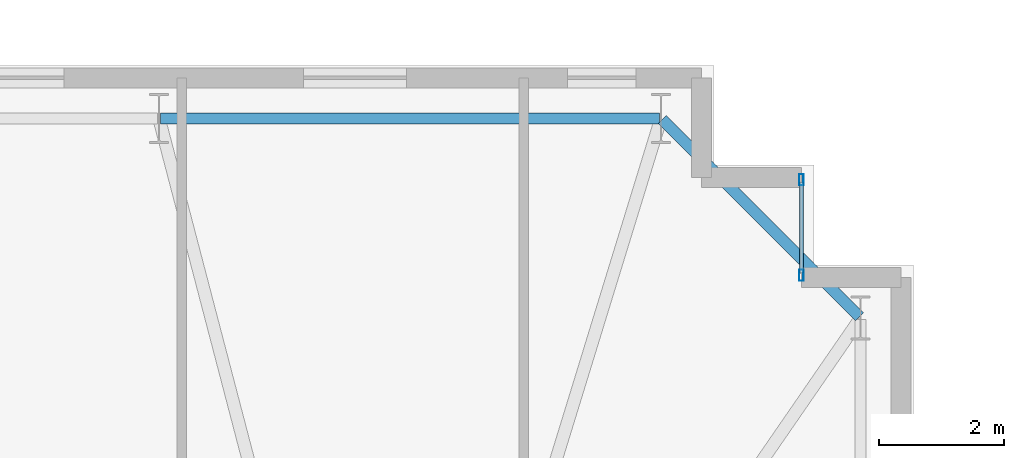
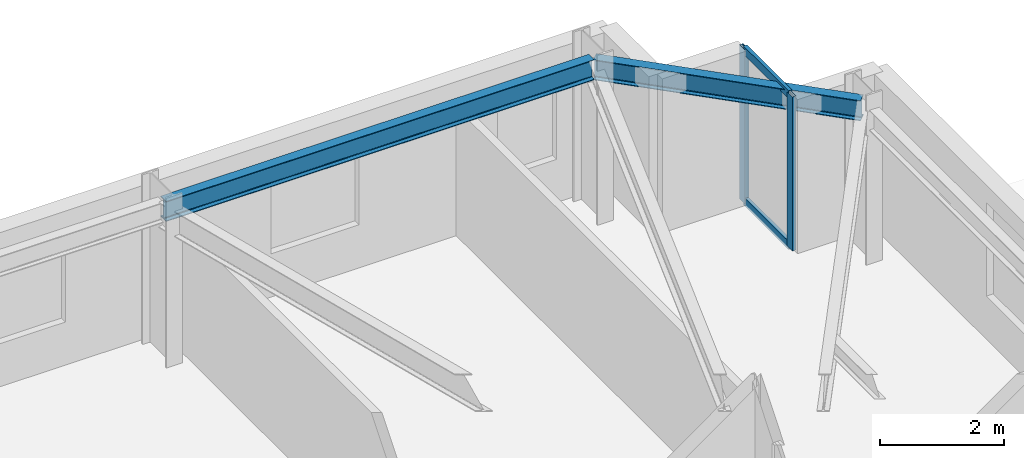
# One storey, part 9 of 18: 4 members, 2 beams, 1 element without a shape of its own.
"""IFC4 building model written with IfcOpenShell, lengths in metres."""

from ifc_helpers import new_model, si_unit, direction, frame, origin, origin_2d, place, context, subcontext, project, spatial, hollow_rectangle, i_section, extrude, material, layer, layer_set, material_profile, profile_set, type_object, element, aggregate, save


model = new_model("IFC4")

# Units and contexts
model_context = context("Model", 3, precision=1e-05, world=origin(), true_north=direction((0.0, 1.0)))
body_context = subcontext(model_context, "Body", "Model", "MODEL_VIEW")
ifc_project = project(units=[si_unit("LENGTHUNIT", "METRE"), si_unit("AREAUNIT", "SQUARE_METRE"), si_unit("VOLUMEUNIT", "CUBIC_METRE"), si_unit("PLANEANGLEUNIT", "RADIAN"), si_unit("MASSUNIT", "GRAM", prefix="KILO")], contexts=[model_context])

# Site, building, storey
site_placement = place(None, origin())
site = spatial("IfcSite", under=ifc_project, at=site_placement, CompositionType="ELEMENT")
building_placement = place(site_placement, origin())
building = spatial("IfcBuilding", under=site, at=building_placement, Name="Qobustan Lattice House", CompositionType="ELEMENT")
storey_placement = place(building_placement, frame((0.0, 0.0, 141.050048828125)))
storey = spatial("IfcBuildingStorey", under=building, at=storey_placement, Name="L39", CompositionType="ELEMENT", Elevation=141.050048828125)

# Beams
ifc_material_1 = material(Name="Steel S355", Category="steel")
ifc_material_profile_1 = material_profile(ifc_material_1, i_section(OverallWidth=0.179931640625, OverallDepth=0.39990234375, WebThickness=0.008544921875, FlangeThickness=0.013427734375, FilletRadius=0.02099609375, at=origin_2d()), Name="IPE400")
ifc_profile_set_1 = profile_set([ifc_material_profile_1], Name="Steel S355")
beam_type = type_object("IfcBeamType", Name="BM-SPD-IPE400", PredefinedType="SPANDREL", material=ifc_profile_set_1)
beam_1_placement = place(storey_placement, frame((26.332275390625, 16.567626953125, 2.83984375), z_axis=(-0.707079505568, 0.707134055753, 0.0), x_axis=(-0.707134055753, -0.707079505568, 0.0)))
element("IfcBeam", 1, at=beam_1_placement, inside=storey, type_object=beam_type, Name="L39 perimeter spandrel E4-N1", PredefinedType="SPANDREL", context=body_context, shape_type="SweptSolid", body=[
    extrude(i_section(OverallWidth=0.179931640625, OverallDepth=0.39990234375, WebThickness=0.008544921875, FlangeThickness=0.013427734375, FilletRadius=0.02099609375, at=origin_2d()), origin(), (0.0, 0.0, 1.0), 4.4755859375),
])
beam_2_placement = place(storey_placement, frame((23.125, 19.75, 2.83984375), z_axis=(-1.0, 0.0, 0.0), x_axis=(0.0, -1.0, 0.0)))
element("IfcBeam", 2, at=beam_2_placement, inside=storey, type_object=beam_type, Name="L39 perimeter spandrel N1-N2", PredefinedType="SPANDREL", context=body_context, shape_type="SweptSolid", body=[
    extrude(i_section(OverallWidth=0.179931640625, OverallDepth=0.39990234375, WebThickness=0.008544921875, FlangeThickness=0.013427734375, FilletRadius=0.02099609375, at=origin_2d()), origin(), (0.0, 0.0, 1.0), 8.0),
])

# Curtain wall, members
ifc_material_2 = material(Name="Anodised aluminium and low-E glazing", Category="aluminium")
ifc_layer = layer(ifc_material_2, 0.219970703125)
ifc_layer_set = layer_set([ifc_layer], Name="Anodised aluminium and low-E glazing")
curtain_wall_type = type_object("IfcCurtainWallType", Name="CW-FAC-02", PredefinedType="USERDEFINED", material=ifc_layer_set)
curtain_wall_placement = place(storey_placement, origin())
curtain_wall = element("IfcCurtainWall", 3, at=curtain_wall_placement, inside=storey, type_object=curtain_wall_type, Name="L39 serrated corner faceted glazing 13", ObjectType="CURTAIN WALL", PredefinedType="USERDEFINED")
ifc_material_3 = material(Name="Anodised aluminium EN AW-6063 T6", Category="aluminium")
ifc_material_profile_2 = material_profile(ifc_material_3, hollow_rectangle(XDim=0.070068359375, YDim=0.179931640625, WallThickness=0.00439453125, at=origin_2d()), Name="CWM-180x70")
ifc_profile_set_2 = profile_set([ifc_material_profile_2], Name="Anodised aluminium EN AW-6063 T6")
member_type_1 = type_object("IfcMemberType", Name="CWM-STD-180", PredefinedType="MULLION", material=ifc_profile_set_2)
member_1_placement = place(storey_placement, frame((25.39990234375, 18.764892578125, 0.0), z_axis=(0.0, 0.0, 1.0), x_axis=(1.0, 0.0, 0.0)))
member_1 = element("IfcMember", 4, at=member_1_placement, type_object=member_type_1, Name="CW-F2 mullion 1", PredefinedType="MULLION", context=body_context, shape_type="SweptSolid", body=[
    extrude(hollow_rectangle(XDim=0.070068359375, YDim=0.179931640625, WallThickness=0.00439453125, at=origin_2d()), origin(), (0.0, 0.0, 1.0), 3.0400390625),
])
member_2_placement = place(storey_placement, frame((25.39990234375, 17.235107421875, 0.0), z_axis=(0.0, 0.0, 1.0), x_axis=(1.0, 0.0, 0.0)))
member_2 = element("IfcMember", 5, at=member_2_placement, type_object=member_type_1, Name="CW-F2 mullion 2", PredefinedType="MULLION", context=body_context, shape_type="SweptSolid", body=[
    extrude(hollow_rectangle(XDim=0.070068359375, YDim=0.179931640625, WallThickness=0.00439453125, at=origin_2d()), origin(), (0.0, 0.0, 1.0), 3.0400390625),
])
ifc_material_4 = material(Name="Anodised aluminium EN AW-6063 T6", Category="aluminium")
ifc_material_profile_3 = material_profile(ifc_material_4, hollow_rectangle(XDim=0.06494140625, YDim=0.159912109375, WallThickness=0.00390625, at=origin_2d()), Name="CWT-160x65")
ifc_profile_set_3 = profile_set([ifc_material_profile_3], Name="Anodised aluminium EN AW-6063 T6")
member_type_2 = type_object("IfcMemberType", Name="CWT-HOR-160", PredefinedType="USERDEFINED", material=ifc_profile_set_3)
member_3_placement = place(storey_placement, frame((25.39990234375, 18.72998046875, 0.032470703125), z_axis=(0.0, -1.0, 0.0), x_axis=(1.0, 0.0, 0.0)))
member_3 = element("IfcMember", 6, at=member_3_placement, type_object=member_type_2, Name="CW-F2 transom 1.1", ObjectType="TRANSOM", PredefinedType="USERDEFINED", context=body_context, shape_type="SweptSolid", body=[
    extrude(hollow_rectangle(XDim=0.06494140625, YDim=0.159912109375, WallThickness=0.00390625, at=origin_2d()), origin(), (0.0, 0.0, 1.0), 1.4599609375),
])
member_4_placement = place(storey_placement, frame((25.39990234375, 18.72998046875, 3.007568359375), z_axis=(0.0, -1.0, 0.0), x_axis=(1.0, 0.0, 0.0)))
member_4 = element("IfcMember", 7, at=member_4_placement, type_object=member_type_2, Name="CW-F2 transom 1.2", ObjectType="TRANSOM", PredefinedType="USERDEFINED", context=body_context, shape_type="SweptSolid", body=[
    extrude(hollow_rectangle(XDim=0.06494140625, YDim=0.159912109375, WallThickness=0.00390625, at=origin_2d()), origin(), (0.0, 0.0, 1.0), 1.4599609375),
])
aggregate(curtain_wall, [member_1, member_2, member_3, member_4])

save(model, "model.ifc")
